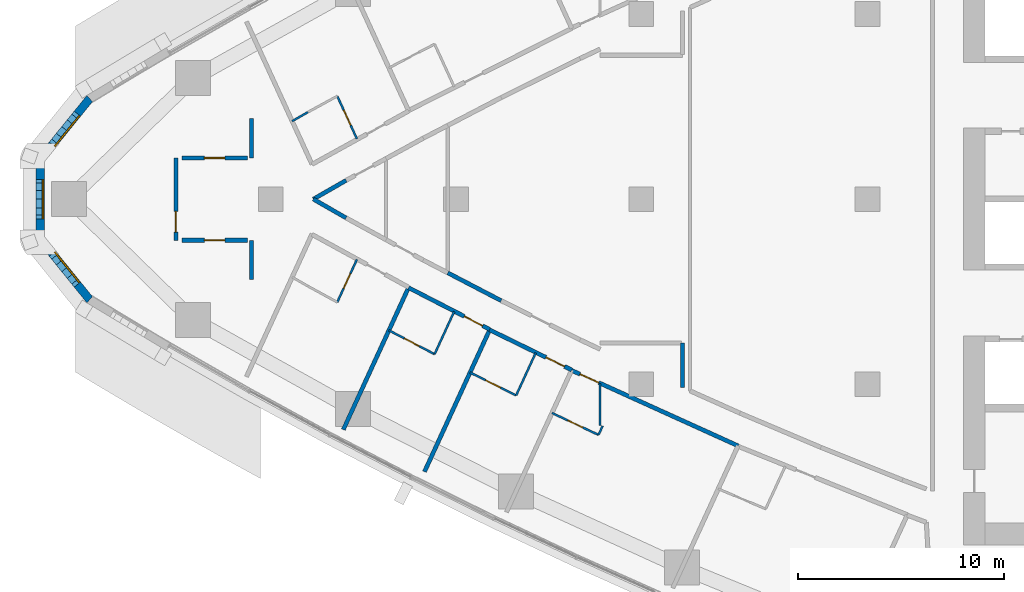
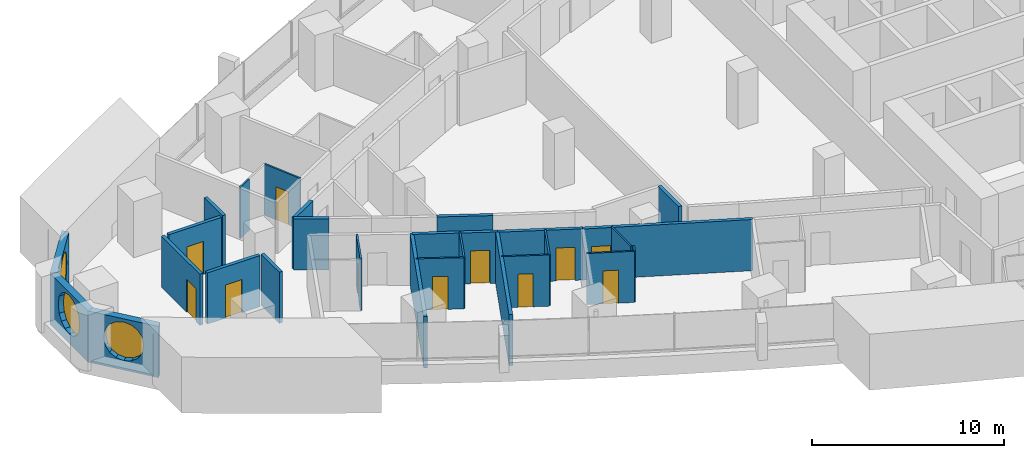
# One storey, part 8 of 17: 27 walls, 11 doors, 3 windows, 14 openings.
"""IFC4 building model written with IfcOpenShell, lengths in metres."""

from ifc_helpers import new_model, si_unit, direction, frame, frame_2d, origin, place, context, subcontext, project, spatial, polyline, rectangle, outline, extrude, material, layer, layer_set, type_object, element, fill, save


model = new_model("IFC4")

# Units and contexts
model_context = context("Model", 3, precision=1e-05, world=origin(), true_north=direction((0.0, 1.0)))
body_context = subcontext(model_context, "Body", "Model", "MODEL_VIEW")
ifc_project = project(units=[si_unit("LENGTHUNIT", "METRE"), si_unit("AREAUNIT", "SQUARE_METRE"), si_unit("VOLUMEUNIT", "CUBIC_METRE"), si_unit("PLANEANGLEUNIT", "RADIAN"), si_unit("MASSUNIT", "GRAM", prefix="KILO")], contexts=[model_context])

# Site, building, storey
site_placement = place(None, origin())
site = spatial("IfcSite", under=ifc_project, at=site_placement, CompositionType="ELEMENT")
building_placement = place(site_placement, origin())
building = spatial("IfcBuilding", under=site, at=building_placement, Name="Ostrand Prow Hotel Tower", CompositionType="ELEMENT")
storey_placement = place(building_placement, frame((0.0, 0.0, 95.550048828125)))
storey = spatial("IfcBuildingStorey", under=building, at=storey_placement, Name="L22", CompositionType="ELEMENT", Elevation=95.550048828125)

# Wall
ifc_material_1 = material(Name="Plasterboard partition")
ifc_layer_1 = layer(ifc_material_1, 0.10009765625)
ifc_layer_set_1 = layer_set([ifc_layer_1], Name="Plasterboard partition")
wall_type_1 = type_object("IfcWallType", Name="Partition 100 bathroom wall", PredefinedType="PARTITIONING", material=ifc_layer_set_1)
wall_1_placement = place(storey_placement, frame((17.0361328125, 3.7900390625, 0.0), z_axis=(0.0, 0.0, 1.0), x_axis=(0.867629162742, 0.497211862248, 0.0)))
element("IfcWall", 1, at=wall_1_placement, inside=storey, type_object=wall_type_1, Name="BATHROOM WALL", PredefinedType="PARTITIONING", context=body_context, shape_type="SweptSolid", body=[
    extrude(rectangle(XDim=0.8818359375, YDim=0.10009765625, at=frame_2d((0.44091796875, 0.0))), origin(), (0.0, 0.0, 1.0), 3.25),
])

# Wall, opening, door
wall_2_placement = place(storey_placement, frame((19.2275390625, 5.00830078125, 0.0), z_axis=(0.0, 0.0, 1.0), x_axis=(0.417450047292, -0.908699872354, 0.0)))
wall_2 = element("IfcWall", 2, at=wall_2_placement, inside=storey, type_object=wall_type_1, Name="BATHROOM WALL", PredefinedType="PARTITIONING", context=body_context, shape_type="SweptSolid", body=[
    extrude(rectangle(XDim=2.28271484375, YDim=0.10009765625, at=frame_2d((1.141357421875, 0.0))), origin(), (0.0, 0.0, 1.0), 3.25),
])
opening_1_placement = place(wall_2_placement, frame((0.75, 0.0, 0.0)))
opening_1 = element("IfcOpeningElement", 3, at=opening_1_placement, cuts=wall_2, Name="Opening D2", PredefinedType="OPENING", context=body_context, shape_type="SweptSolid", body=[
    extrude(rectangle(XDim=0.800048828125, YDim=2.10009765625, at=frame_2d((0.39990234375, 1.050048828125))), frame((0.0, 0.06005859375, 0.0), z_axis=(0.0, -1.0, 0.0), x_axis=(1.0, 0.0, 0.0)), (0.0, 0.0, 1.0), 0.1201171875),
])
ifc_material_2 = material(Name="Timber door leaf", Category="wood")
door_type_1 = type_object("IfcDoorType", Name="Bathroom door 800", OperationType="SINGLE_SWING_LEFT", PredefinedType="DOOR", material=ifc_material_2)
door_1_placement = place(opening_1_placement, origin())
door_1 = element("IfcDoor", 4, at=door_1_placement, inside=storey, type_object=door_type_1, Name="DOOR", OperationType="SINGLE_SWING_LEFT", OverallHeight=2.10009765625, OverallWidth=0.800048828125, PredefinedType="DOOR", context=body_context, shape_type="SweptSolid", body=[
    extrude(rectangle(XDim=0.800048828125, YDim=2.10009765625, at=frame_2d((0.39990234375, 1.050048828125))), frame((0.0, 0.02490234375, 0.0), z_axis=(0.0, -1.0, 0.0), x_axis=(1.0, 0.0, 0.0)), (0.0, 0.0, 1.0), 0.050048828125),
])
fill(opening_1, door_1)

wall_3_placement = place(storey_placement, frame((20.180419921875, -2.93408203125, 0.0), z_axis=(0.0, 0.0, 1.0), x_axis=(-0.417450047292, -0.908699872354, 0.0)))
wall_3 = element("IfcWall", 5, at=wall_3_placement, inside=storey, type_object=wall_type_1, Name="BATHROOM WALL", PredefinedType="PARTITIONING", context=body_context, shape_type="SweptSolid", body=[
    extrude(rectangle(XDim=2.28271484375, YDim=0.10009765625, at=frame_2d((1.141357421875, 0.0))), origin(), (0.0, 0.0, 1.0), 3.25),
])
opening_2_placement = place(wall_3_placement, frame((0.75, 0.0, 0.0)))
opening_2 = element("IfcOpeningElement", 6, at=opening_2_placement, cuts=wall_3, Name="Opening D2", PredefinedType="OPENING", context=body_context, shape_type="SweptSolid", body=[
    extrude(rectangle(XDim=0.800048828125, YDim=2.10009765625, at=frame_2d((0.39990234375, 1.050048828125))), frame((0.0, 0.06005859375, 0.0), z_axis=(0.0, -1.0, 0.0), x_axis=(1.0, 0.0, 0.0)), (0.0, 0.0, 1.0), 0.1201171875),
])
door_2_placement = place(opening_2_placement, origin())
door_2 = element("IfcDoor", 7, at=door_2_placement, inside=storey, type_object=door_type_1, Name="DOOR", OperationType="SINGLE_SWING_LEFT", OverallHeight=2.10009765625, OverallWidth=0.800048828125, PredefinedType="DOOR", context=body_context, shape_type="SweptSolid", body=[
    extrude(rectangle(XDim=0.800048828125, YDim=2.10009765625, at=frame_2d((0.39990234375, 1.050048828125))), frame((0.0, 0.02490234375, 0.0), z_axis=(0.0, -1.0, 0.0), x_axis=(1.0, 0.0, 0.0)), (0.0, 0.0, 1.0), 0.050048828125),
])
fill(opening_2, door_2)

# Wall
wall_4_placement = place(storey_placement, frame((24.9091796875, -5.4619140625, 0.0), z_axis=(0.0, 0.0, 1.0), x_axis=(-0.417454762401, -0.908697706253, 0.0)))
element("IfcWall", 8, at=wall_4_placement, inside=storey, type_object=wall_type_1, Name="BATHROOM WALL", PredefinedType="PARTITIONING", context=body_context, shape_type="SweptSolid", body=[
    extrude(rectangle(XDim=2.27978515625, YDim=0.10009765625, at=frame_2d((1.139892578125, 0.0))), origin(), (0.0, 0.0, 1.0), 3.25),
])

# Wall, opening, door
wall_5_placement = place(storey_placement, frame((23.95751953125, -7.533447265625, 0.0), z_axis=(0.0, 0.0, 1.0), x_axis=(-0.886911586599, 0.461939214135, 0.0)))
wall_5 = element("IfcWall", 9, at=wall_5_placement, inside=storey, type_object=wall_type_1, Name="BATHROOM WALL", PredefinedType="PARTITIONING", context=body_context, shape_type="SweptSolid", body=[
    extrude(rectangle(XDim=2.5029296875, YDim=0.10009765625, at=frame_2d((1.25146484375, 0.0))), origin(), (0.0, 0.0, 1.0), 3.25),
])
opening_3_placement = place(wall_5_placement, frame((0.85009765625, 0.0, 0.0)))
opening_3 = element("IfcOpeningElement", 10, at=opening_3_placement, cuts=wall_5, Name="Opening D2", PredefinedType="OPENING", context=body_context, shape_type="SweptSolid", body=[
    extrude(rectangle(XDim=0.800048828125, YDim=2.10009765625, at=frame_2d((0.39990234375, 1.050048828125))), frame((0.0, 0.06005859375, 0.0), z_axis=(0.0, -1.0, 0.0), x_axis=(1.0, 0.0, 0.0)), (0.0, 0.0, 1.0), 0.1201171875),
])
door_3_placement = place(opening_3_placement, origin())
door_3 = element("IfcDoor", 11, at=door_3_placement, inside=storey, type_object=door_type_1, Name="DOOR", OperationType="SINGLE_SWING_LEFT", OverallHeight=2.10009765625, OverallWidth=0.800048828125, PredefinedType="DOOR", context=body_context, shape_type="SweptSolid", body=[
    extrude(rectangle(XDim=0.800048828125, YDim=2.10009765625, at=frame_2d((0.39990234375, 1.050048828125))), frame((0.0, 0.02490234375, 0.0), z_axis=(0.0, -1.0, 0.0), x_axis=(1.0, 0.0, 0.0)), (0.0, 0.0, 1.0), 0.050048828125),
])
fill(opening_3, door_3)

# Wall
wall_6_placement = place(storey_placement, frame((28.87255859375, -7.466552734375, 0.0), z_axis=(0.0, 0.0, 1.0), x_axis=(-0.417433204355, -0.908707609686, 0.0)))
element("IfcWall", 12, at=wall_6_placement, inside=storey, type_object=wall_type_1, Name="BATHROOM WALL", PredefinedType="PARTITIONING", context=body_context, shape_type="SweptSolid", body=[
    extrude(rectangle(XDim=2.278076171875, YDim=0.10009765625, at=frame_2d((1.13916015625, 0.0))), origin(), (0.0, 0.0, 1.0), 3.25),
])

# Wall, opening, door
wall_7_placement = place(storey_placement, frame((27.921630859375, -9.53662109375, 0.0), z_axis=(0.0, 0.0, 1.0), x_axis=(-0.895944857815, 0.444165297784, 0.0)))
wall_7 = element("IfcWall", 13, at=wall_7_placement, inside=storey, type_object=wall_type_1, Name="BATHROOM WALL", PredefinedType="PARTITIONING", context=body_context, shape_type="SweptSolid", body=[
    extrude(rectangle(XDim=2.5009765625, YDim=0.10009765625, at=frame_2d((1.25048828125, 0.0))), origin(), (0.0, 0.0, 1.0), 3.25),
])
opening_4_placement = place(wall_7_placement, frame((0.85009765625, 0.0, 0.0)))
opening_4 = element("IfcOpeningElement", 14, at=opening_4_placement, cuts=wall_7, Name="Opening D2", PredefinedType="OPENING", context=body_context, shape_type="SweptSolid", body=[
    extrude(rectangle(XDim=0.800048828125, YDim=2.10009765625, at=frame_2d((0.39990234375, 1.050048828125))), frame((0.0, 0.06005859375, 0.0), z_axis=(0.0, -1.0, 0.0), x_axis=(1.0, 0.0, 0.0)), (0.0, 0.0, 1.0), 0.1201171875),
])
door_4_placement = place(opening_4_placement, origin())
door_4 = element("IfcDoor", 15, at=door_4_placement, inside=storey, type_object=door_type_1, Name="DOOR", OperationType="SINGLE_SWING_LEFT", OverallHeight=2.10009765625, OverallWidth=0.800048828125, PredefinedType="DOOR", context=body_context, shape_type="SweptSolid", body=[
    extrude(rectangle(XDim=0.800048828125, YDim=2.10009765625, at=frame_2d((0.39990234375, 1.050048828125))), frame((0.0, 0.02490234375, 0.0), z_axis=(0.0, -1.0, 0.0), x_axis=(1.0, 0.0, 0.0)), (0.0, 0.0, 1.0), 0.050048828125),
])
fill(opening_4, door_4)

# Wall
wall_8_placement = place(storey_placement, frame((32.123779296875, -11.022216796875, 0.0), z_axis=(0.0, 0.0, 1.0), x_axis=(-0.4176025781, -0.908629785316, 0.0)))
element("IfcWall", 16, at=wall_8_placement, inside=storey, type_object=wall_type_1, Name="BATHROOM WALL", PredefinedType="PARTITIONING", context=body_context, shape_type="SweptSolid", body=[
    extrude(rectangle(XDim=0.478759765625, YDim=0.10009765625, at=frame_2d((0.2392578125, 0.0))), origin(), (0.0, 0.0, 1.0), 3.25),
])

# Wall, opening, door
wall_9_placement = place(storey_placement, frame((31.923828125, -11.457275390625, 0.0), z_axis=(0.0, 0.0, 1.0), x_axis=(-0.904688082375, 0.426074493027, 0.0)))
wall_9 = element("IfcWall", 17, at=wall_9_placement, inside=storey, type_object=wall_type_1, Name="BATHROOM WALL", PredefinedType="PARTITIONING", context=body_context, shape_type="SweptSolid", body=[
    extrude(rectangle(XDim=2.5, YDim=0.10009765625, at=frame_2d((1.25, 0.0))), origin(), (0.0, 0.0, 1.0), 3.25),
])
opening_5_placement = place(wall_9_placement, frame((0.85009765625, 0.0, 0.0)))
opening_5 = element("IfcOpeningElement", 18, at=opening_5_placement, cuts=wall_9, Name="Opening D2", PredefinedType="OPENING", context=body_context, shape_type="SweptSolid", body=[
    extrude(rectangle(XDim=0.800048828125, YDim=2.10009765625, at=frame_2d((0.39990234375, 1.050048828125))), frame((0.0, 0.06005859375, 0.0), z_axis=(0.0, -1.0, 0.0), x_axis=(1.0, 0.0, 0.0)), (0.0, 0.0, 1.0), 0.1201171875),
])
door_5_placement = place(opening_5_placement, origin())
door_5 = element("IfcDoor", 19, at=door_5_placement, inside=storey, type_object=door_type_1, Name="DOOR", OperationType="SINGLE_SWING_LEFT", OverallHeight=2.10009765625, OverallWidth=0.800048828125, PredefinedType="DOOR", context=body_context, shape_type="SweptSolid", body=[
    extrude(rectangle(XDim=0.800048828125, YDim=2.10009765625, at=frame_2d((0.39990234375, 1.050048828125))), frame((0.0, 0.02490234375, 0.0), z_axis=(0.0, -1.0, 0.0), x_axis=(1.0, 0.0, 0.0)), (0.0, 0.0, 1.0), 0.050048828125),
])
fill(opening_5, door_5)

# Wall
wall_10_placement = place(storey_placement, frame((31.9951171875, -8.9541015625, 0.0), z_axis=(0.0, 0.0, 1.0), x_axis=(0.0, -1.0, 0.0)))
element("IfcWall", 20, at=wall_10_placement, inside=storey, type_object=wall_type_1, Name="BATHROOM WALL", PredefinedType="PARTITIONING", context=body_context, shape_type="SweptSolid", body=[
    extrude(rectangle(XDim=2.04638671875, YDim=0.10009765625, at=frame_2d((1.023193359375, 0.0))), origin(), (0.0, 0.0, 1.0), 3.25),
])

# Wall, opening, door
ifc_material_3 = material(Name="Plasterboard partition")
ifc_layer_2 = layer(ifc_material_3, 0.199951171875)
ifc_layer_set_2 = layer_set([ifc_layer_2], Name="Plasterboard partition")
wall_type_2 = type_object("IfcWallType", Name="Partition 200 corridor wall", PredefinedType="PARTITIONING", material=ifc_layer_set_2)
wall_11_placement = place(storey_placement, frame((11.685302734375, 2.0, 0.0), z_axis=(0.0, 0.0, 1.0), x_axis=(1.0, 0.0, 0.0)))
wall_11 = element("IfcWall", 21, at=wall_11_placement, inside=storey, type_object=wall_type_2, Name="CORRIDOR WALL", PredefinedType="PARTITIONING", context=body_context, shape_type="SweptSolid", body=[
    extrude(rectangle(XDim=3.16845703125, YDim=0.199951171875, at=frame_2d((1.584228515625, 0.0))), origin(), (0.0, 0.0, 1.0), 3.25),
])
opening_6_placement = place(wall_11_placement, frame((1.084228515625, 0.0, 0.0)))
opening_6 = element("IfcOpeningElement", 22, at=opening_6_placement, cuts=wall_11, Name="Opening D1", PredefinedType="OPENING", context=body_context, shape_type="SweptSolid", body=[
    extrude(rectangle(XDim=1.0, YDim=2.10009765625, at=frame_2d((0.5, 1.050048828125))), frame((0.0, 0.10986328125, 0.0), z_axis=(0.0, -1.0, 0.0), x_axis=(1.0, 0.0, 0.0)), (0.0, 0.0, 1.0), 0.219970703125),
])
ifc_material_4 = material(Name="Timber door leaf", Category="wood")
door_type_2 = type_object("IfcDoorType", Name="Guest room door 1000", OperationType="SINGLE_SWING_LEFT", PredefinedType="DOOR", material=ifc_material_4)
door_6_placement = place(opening_6_placement, origin())
door_6 = element("IfcDoor", 23, at=door_6_placement, inside=storey, type_object=door_type_2, Name="DOOR", OperationType="SINGLE_SWING_LEFT", OverallHeight=2.10009765625, OverallWidth=1.0, PredefinedType="DOOR", context=body_context, shape_type="SweptSolid", body=[
    extrude(rectangle(XDim=1.0, YDim=2.10009765625, at=frame_2d((0.5, 1.050048828125))), frame((0.0, 0.02490234375, 0.0), z_axis=(0.0, -1.0, 0.0), x_axis=(1.0, 0.0, 0.0)), (0.0, 0.0, 1.0), 0.050048828125),
])
fill(opening_6, door_6)

wall_12_placement = place(storey_placement, frame((11.685302734375, -2.0, 0.0), z_axis=(0.0, 0.0, 1.0), x_axis=(1.0, 0.0, 0.0)))
wall_12 = element("IfcWall", 24, at=wall_12_placement, inside=storey, type_object=wall_type_2, Name="CORRIDOR WALL", PredefinedType="PARTITIONING", context=body_context, shape_type="SweptSolid", body=[
    extrude(rectangle(XDim=3.16845703125, YDim=0.199951171875, at=frame_2d((1.584228515625, 0.0))), origin(), (0.0, 0.0, 1.0), 3.25),
])
opening_7_placement = place(wall_12_placement, frame((1.084228515625, 0.0, 0.0)))
opening_7 = element("IfcOpeningElement", 25, at=opening_7_placement, cuts=wall_12, Name="Opening D1R", PredefinedType="OPENING", context=body_context, shape_type="SweptSolid", body=[
    extrude(rectangle(XDim=1.0, YDim=2.10009765625, at=frame_2d((0.5, 1.050048828125))), frame((0.0, 0.10986328125, 0.0), z_axis=(0.0, -1.0, 0.0), x_axis=(1.0, 0.0, 0.0)), (0.0, 0.0, 1.0), 0.219970703125),
])
ifc_material_5 = material(Name="Timber door leaf", Category="wood")
door_type_3 = type_object("IfcDoorType", Name="Guest room door 1000 right", OperationType="SINGLE_SWING_RIGHT", PredefinedType="DOOR", material=ifc_material_5)
door_7_placement = place(opening_7_placement, origin())
door_7 = element("IfcDoor", 26, at=door_7_placement, inside=storey, type_object=door_type_3, Name="DOOR", OperationType="SINGLE_SWING_RIGHT", OverallHeight=2.10009765625, OverallWidth=1.0, PredefinedType="DOOR", context=body_context, shape_type="SweptSolid", body=[
    extrude(rectangle(XDim=1.0, YDim=2.10009765625, at=frame_2d((0.5, 1.050048828125))), frame((0.0, 0.02490234375, 0.0), z_axis=(0.0, -1.0, 0.0), x_axis=(1.0, 0.0, 0.0)), (0.0, 0.0, 1.0), 0.050048828125),
])
fill(opening_7, door_7)

wall_13_placement = place(storey_placement, frame((22.6904296875, -4.302490234375, 0.0), z_axis=(0.0, 0.0, 1.0), x_axis=(0.889236075961, -0.457448577667, 0.0)))
wall_13 = element("IfcWall", 27, at=wall_13_placement, inside=storey, type_object=wall_type_2, Name="CORRIDOR WALL", PredefinedType="PARTITIONING", context=body_context, shape_type="SweptSolid", body=[
    extrude(rectangle(XDim=4.443115234375, YDim=0.199951171875, at=frame_2d((2.2216796875, 0.0))), origin(), (0.0, 0.0, 1.0), 3.25),
])
opening_8_placement = place(wall_13_placement, frame((3.050048828125, 0.0, 0.0)))
opening_8 = element("IfcOpeningElement", 28, at=opening_8_placement, cuts=wall_13, Name="Opening D1R", PredefinedType="OPENING", context=body_context, shape_type="SweptSolid", body=[
    extrude(rectangle(XDim=1.0, YDim=2.10009765625, at=frame_2d((0.5, 1.050048828125))), frame((0.0, 0.10986328125, 0.0), z_axis=(0.0, -1.0, 0.0), x_axis=(1.0, 0.0, 0.0)), (0.0, 0.0, 1.0), 0.219970703125),
])
door_8_placement = place(opening_8_placement, origin())
door_8 = element("IfcDoor", 29, at=door_8_placement, inside=storey, type_object=door_type_3, Name="DOOR", OperationType="SINGLE_SWING_RIGHT", OverallHeight=2.10009765625, OverallWidth=1.0, PredefinedType="DOOR", context=body_context, shape_type="SweptSolid", body=[
    extrude(rectangle(XDim=1.0, YDim=2.10009765625, at=frame_2d((0.5, 1.050048828125))), frame((0.0, 0.02490234375, 0.0), z_axis=(0.0, -1.0, 0.0), x_axis=(1.0, 0.0, 0.0)), (0.0, 0.0, 1.0), 0.050048828125),
])
fill(opening_8, door_8)

wall_14_placement = place(storey_placement, frame((26.6328125, -6.35302734375, 0.0), z_axis=(0.0, 0.0, 1.0), x_axis=(0.898502457097, -0.438968489291, 0.0)))
wall_14 = element("IfcWall", 30, at=wall_14_placement, inside=storey, type_object=wall_type_2, Name="CORRIDOR WALL", PredefinedType="PARTITIONING", context=body_context, shape_type="SweptSolid", body=[
    extrude(rectangle(XDim=4.43994140625, YDim=0.199951171875, at=frame_2d((2.219970703125, 0.0))), origin(), (0.0, 0.0, 1.0), 3.25),
])
opening_9_placement = place(wall_14_placement, frame((3.050048828125, 0.0, 0.0)))
opening_9 = element("IfcOpeningElement", 31, at=opening_9_placement, cuts=wall_14, Name="Opening D1R", PredefinedType="OPENING", context=body_context, shape_type="SweptSolid", body=[
    extrude(rectangle(XDim=1.0, YDim=2.10009765625, at=frame_2d((0.5, 1.050048828125))), frame((0.0, 0.10986328125, 0.0), z_axis=(0.0, -1.0, 0.0), x_axis=(1.0, 0.0, 0.0)), (0.0, 0.0, 1.0), 0.219970703125),
])
door_9_placement = place(opening_9_placement, origin())
door_9 = element("IfcDoor", 32, at=door_9_placement, inside=storey, type_object=door_type_3, Name="DOOR", OperationType="SINGLE_SWING_RIGHT", OverallHeight=2.10009765625, OverallWidth=1.0, PredefinedType="DOOR", context=body_context, shape_type="SweptSolid", body=[
    extrude(rectangle(XDim=1.0, YDim=2.10009765625, at=frame_2d((0.5, 1.050048828125))), frame((0.0, 0.02490234375, 0.0), z_axis=(0.0, -1.0, 0.0), x_axis=(1.0, 0.0, 0.0)), (0.0, 0.0, 1.0), 0.050048828125),
])
fill(opening_9, door_9)

wall_15_placement = place(storey_placement, frame((30.61376953125, -8.320068359375, 0.0), z_axis=(0.0, 0.0, 1.0), x_axis=(0.910751030363, -0.41295588226, 0.0)))
wall_15 = element("IfcWall", 33, at=wall_15_placement, inside=storey, type_object=wall_type_2, Name="CORRIDOR WALL", PredefinedType="PARTITIONING", context=body_context, shape_type="SweptSolid", body=[
    extrude(rectangle(XDim=8.88330078125, YDim=0.199951171875, at=frame_2d((4.441650390625, 0.0))), origin(), (0.0, 0.0, 1.0), 3.25),
])
opening_10_placement = place(wall_15_placement, frame((0.449951171875, 0.0, 0.0)))
opening_10 = element("IfcOpeningElement", 34, at=opening_10_placement, cuts=wall_15, Name="Opening D1R", PredefinedType="OPENING", context=body_context, shape_type="SweptSolid", body=[
    extrude(rectangle(XDim=1.0, YDim=2.10009765625, at=frame_2d((0.5, 1.050048828125))), frame((0.0, 0.10986328125, 0.0), z_axis=(0.0, -1.0, 0.0), x_axis=(1.0, 0.0, 0.0)), (0.0, 0.0, 1.0), 0.219970703125),
])
door_10_placement = place(opening_10_placement, origin())
door_10 = element("IfcDoor", 35, at=door_10_placement, inside=storey, type_object=door_type_3, Name="DOOR", OperationType="SINGLE_SWING_RIGHT", OverallHeight=2.10009765625, OverallWidth=1.0, PredefinedType="DOOR", context=body_context, shape_type="SweptSolid", body=[
    extrude(rectangle(XDim=1.0, YDim=2.10009765625, at=frame_2d((0.5, 1.050048828125))), frame((0.0, 0.02490234375, 0.0), z_axis=(0.0, -1.0, 0.0), x_axis=(1.0, 0.0, 0.0)), (0.0, 0.0, 1.0), 0.050048828125),
])
fill(opening_10, door_10)

# Walls
for number, where, z_axis, x_axis, name in (
    (36, (19.6572265625, -0.912353515625, 0.0), (0.0, 0.0, 1.0), (-0.867694156962, 0.49709843087, 0.0), "CORRIDOR WALL"),
    (37, (18.064697265625, 0.0, 0.0), (0.0, 0.0, 1.0), (0.867694156962, 0.49709843087, 0.0), "CORRIDOR WALL"),
):
    element("IfcWall", number, at=place(storey_placement, frame(where, z_axis=z_axis, x_axis=x_axis)), inside=storey, type_object=wall_type_2, Name=name, PredefinedType="PARTITIONING", context=body_context, shape_type="SweptSolid", body=[
        extrude(rectangle(XDim=1.83544921875, YDim=0.199951171875, at=frame_2d((0.917724609375, 0.0))), origin(), (0.0, 0.0, 1.0), 3.25),
    ])
wall_16_placement = place(storey_placement, frame((27.1962890625, -4.935791015625, 0.0), z_axis=(0.0, 0.0, 1.0), x_axis=(-0.886905549588, 0.461950804859, 0.0)))
element("IfcWall", 38, at=wall_16_placement, inside=storey, type_object=wall_type_2, Name="CORRIDOR WALL", PredefinedType="PARTITIONING", context=body_context, shape_type="SweptSolid", body=[
    extrude(rectangle(XDim=2.929931640625, YDim=0.199951171875, at=frame_2d((1.46484375, 0.0))), origin(), (0.0, 0.0, 1.0), 3.25),
])
wall_17_placement = place(storey_placement, frame((36.0048828125, -9.146484375, 0.0), z_axis=(0.0, 0.0, 1.0), x_axis=(-0.001135073049, 0.999999355804, 0.0)))
element("IfcWall", 39, at=wall_17_placement, inside=storey, type_object=wall_type_2, Name="CORRIDOR WALL", PredefinedType="PARTITIONING", context=body_context, shape_type="SweptSolid", body=[
    extrude(rectangle(XDim=2.15087890625, YDim=0.199951171875, at=frame_2d((1.075439453125, 0.0))), origin(), (0.0, 0.0, 1.0), 3.25),
])
wall_18_placement = place(storey_placement, frame((15.0537109375, 3.90869140625, 0.0), z_axis=(0.0, 0.0, 1.0), x_axis=(0.0, -1.0, 0.0)))
element("IfcWall", 40, at=wall_18_placement, inside=storey, type_object=wall_type_2, Name="CORRIDOR WALL", PredefinedType="PARTITIONING", context=body_context, shape_type="SweptSolid", body=[
    extrude(rectangle(XDim=1.90380859375, YDim=0.199951171875, at=frame_2d((0.951904296875, 0.0))), origin(), (0.0, 0.0, 1.0), 3.25),
])
wall_19_placement = place(storey_placement, frame((15.0537109375, -2.0048828125, 0.0), z_axis=(0.0, 0.0, 1.0), x_axis=(0.0, -1.0, 0.0)))
element("IfcWall", 41, at=wall_19_placement, inside=storey, type_object=wall_type_2, Name="CORRIDOR WALL", PredefinedType="PARTITIONING", context=body_context, shape_type="SweptSolid", body=[
    extrude(rectangle(XDim=1.907958984375, YDim=0.199951171875, at=frame_2d((0.9541015625, 0.0))), origin(), (0.0, 0.0, 1.0), 3.25),
])
ifc_material_6 = material(Name="Plasterboard partition")
ifc_layer_3 = layer(ifc_material_6, 0.199951171875)
ifc_layer_set_3 = layer_set([ifc_layer_3], Name="Plasterboard partition")
wall_type_3 = type_object("IfcWallType", Name="Partition 200 key partition", PredefinedType="PARTITIONING", material=ifc_layer_set_3)
wall_20_placement = place(storey_placement, frame((19.5224609375, -11.19921875, 0.0), z_axis=(0.0, 0.0, 1.0), x_axis=(0.417413534969, 0.908716644959, 0.0)))
element("IfcWall", 42, at=wall_20_placement, inside=storey, type_object=wall_type_3, Name="KEY PARTITION", PredefinedType="PARTITIONING", context=body_context, shape_type="SweptSolid", body=[
    extrude(rectangle(XDim=7.609375, YDim=0.199951171875, at=frame_2d((3.8046875, 0.0))), origin(), (0.0, 0.0, 1.0), 3.25),
])
wall_21_placement = place(storey_placement, frame((23.46728515625, -13.244140625, 0.0), z_axis=(0.0, 0.0, 1.0), x_axis=(0.417455028008, 0.908697584233, 0.0)))
element("IfcWall", 43, at=wall_21_placement, inside=storey, type_object=wall_type_3, Name="KEY PARTITION", PredefinedType="PARTITIONING", context=body_context, shape_type="SweptSolid", body=[
    extrude(rectangle(XDim=7.603271484375, YDim=0.199951171875, at=frame_2d((3.8017578125, 0.0))), origin(), (0.0, 0.0, 1.0), 3.25),
])

# Wall, opening, door
ifc_material_7 = material(Name="Plasterboard partition")
ifc_layer_4 = layer(ifc_material_7, 0.199951171875)
ifc_layer_set_4 = layer_set([ifc_layer_4], Name="Plasterboard partition")
wall_type_4 = type_object("IfcWallType", Name="Partition 200 lounge wall", PredefinedType="PARTITIONING", material=ifc_layer_set_4)
wall_22_placement = place(storey_placement, frame((11.385498046875, -2.0, 0.0), z_axis=(0.0, 0.0, 1.0), x_axis=(0.0, 1.0, 0.0)))
wall_22 = element("IfcWall", 44, at=wall_22_placement, inside=storey, type_object=wall_type_4, Name="LOUNGE WALL", PredefinedType="PARTITIONING", context=body_context, shape_type="SweptSolid", body=[
    extrude(rectangle(XDim=4.0, YDim=0.199951171875, at=frame_2d((2.0, 0.0))), origin(), (0.0, 0.0, 1.0), 3.25),
])
opening_11_placement = place(wall_22_placement, frame((0.39990234375, 0.0, 0.0)))
opening_11 = element("IfcOpeningElement", 45, at=opening_11_placement, cuts=wall_22, Name="Opening D1", PredefinedType="OPENING", context=body_context, shape_type="SweptSolid", body=[
    extrude(rectangle(XDim=1.0, YDim=2.10009765625, at=frame_2d((0.5, 1.050048828125))), frame((0.0, 0.10986328125, 0.0), z_axis=(0.0, -1.0, 0.0), x_axis=(1.0, 0.0, 0.0)), (0.0, 0.0, 1.0), 0.219970703125),
])
door_11_placement = place(opening_11_placement, origin())
door_11 = element("IfcDoor", 46, at=door_11_placement, inside=storey, type_object=door_type_2, Name="DOOR", OperationType="SINGLE_SWING_LEFT", OverallHeight=2.10009765625, OverallWidth=1.0, PredefinedType="DOOR", context=body_context, shape_type="SweptSolid", body=[
    extrude(rectangle(XDim=1.0, YDim=2.10009765625, at=frame_2d((0.5, 1.050048828125))), frame((0.0, 0.02490234375, 0.0), z_axis=(0.0, -1.0, 0.0), x_axis=(1.0, 0.0, 0.0)), (0.0, 0.0, 1.0), 0.050048828125),
])
fill(opening_11, door_11)

# Wall, opening, window
ifc_material_8 = material(Name="Precast concrete C40/50", Category="concrete")
ifc_layer_5 = layer(ifc_material_8, 0.39990234375)
ifc_layer_set_5 = layer_set([ifc_layer_5], Name="Precast concrete C40/50")
wall_type_5 = type_object("IfcWallType", Name="Stone-faced precast wall 400 mm", PredefinedType="NOTDEFINED", material=ifc_layer_set_5)
wall_23_placement = place(storey_placement, frame((7.1943359375, 4.8876953125, 0.0), z_axis=(0.0, 0.0, 1.0), x_axis=(-0.62903486133, -0.777377092042, 0.0)))
wall_23 = element("IfcWall", 47, at=wall_23_placement, inside=storey, type_object=wall_type_5, Name="Stone-faced wall prow 2", PredefinedType="NOTDEFINED", context=body_context, shape_type="SweptSolid", body=[
    extrude(outline(polyline([(-0.035400390625, -0.199951171875), (3.897216796875, -0.199951171875), (3.755615234375, 0.199951171875), (0.035400390625, 0.199951171875), (-0.035400390625, -0.199951171875)])), origin(), (0.0, 0.0, 1.0), 3.25),
])
opening_12_placement = place(wall_23_placement, frame((0.813232421875, 0.0, 0.60009765625)))
opening_12 = element("IfcOpeningElement", 48, at=opening_12_placement, cuts=wall_23, Name="Opening WP1", PredefinedType="OPENING", context=body_context, shape_type="SweptSolid", body=[
    extrude(outline(polyline([(0.0, 1.35009765625), (0.083740234375, 1.77099609375), (0.322265625, 2.127685546875), (0.678955078125, 2.3662109375), (1.10009765625, 2.449951171875), (1.52099609375, 2.3662109375), (1.877685546875, 2.127685546875), (2.1162109375, 1.77099609375), (2.199951171875, 1.35009765625), (2.199951171875, 1.10009765625), (2.1162109375, 0.678955078125), (1.877685546875, 0.322265625), (1.52099609375, 0.083740234375), (1.10009765625, 0.0), (0.678955078125, 0.083740234375), (0.322265625, 0.322265625), (0.083740234375, 0.678955078125), (0.0, 1.099853515625), (0.0, 1.35009765625)])), frame((0.0, 0.2099609375, 0.0), z_axis=(0.0, -1.0, 0.0), x_axis=(1.0, 0.0, 0.0)), (0.0, 0.0, 1.0), 0.419921875),
])
ifc_material_9 = material(Name="Insulated glass in bronze frame", Category="glass")
window_type = type_object("IfcWindowType", Name="Round-ended prow window 2200x2450", PartitioningType="SINGLE_PANEL", PredefinedType="WINDOW", material=ifc_material_9)
window_1_placement = place(opening_12_placement, origin())
window_1 = element("IfcWindow", 49, at=window_1_placement, inside=storey, type_object=window_type, Name="Window prow 2.1", OverallHeight=2.449951171875, OverallWidth=2.199951171875, PartitioningType="SINGLE_PANEL", PredefinedType="WINDOW", context=body_context, shape_type="SweptSolid", body=[
    extrude(outline(polyline([(0.0, 1.35009765625), (0.083740234375, 1.77099609375), (0.322265625, 2.127685546875), (0.678955078125, 2.3662109375), (1.10009765625, 2.449951171875), (1.52099609375, 2.3662109375), (1.877685546875, 2.127685546875), (2.1162109375, 1.77099609375), (2.199951171875, 1.35009765625), (2.199951171875, 1.10009765625), (2.1162109375, 0.678955078125), (1.877685546875, 0.322265625), (1.52099609375, 0.083740234375), (1.10009765625, 0.0), (0.678955078125, 0.083740234375), (0.322265625, 0.322265625), (0.083740234375, 0.678955078125), (0.0, 1.099853515625), (0.0, 1.35009765625)])), frame((0.0, 0.169921875, 0.0), z_axis=(0.0, -1.0, 0.0), x_axis=(1.0, 0.0, 0.0)), (0.0, 0.0, 1.0), 0.06005859375),
])
fill(opening_12, window_1)

wall_24_placement = place(storey_placement, frame((4.787353515625, 1.9130859375, 0.0), z_axis=(0.0, 0.0, 1.0), x_axis=(0.0, -1.0, 0.0)))
wall_24 = element("IfcWall", 50, at=wall_24_placement, inside=storey, type_object=wall_type_5, Name="Stone-faced wall prow 3", PredefinedType="NOTDEFINED", context=body_context, shape_type="SweptSolid", body=[
    extrude(outline(polyline([(-0.07080078125, -0.199951171875), (3.89697265625, -0.199951171875), (3.75537109375, 0.199951171875), (0.07080078125, 0.199951171875), (-0.07080078125, -0.199951171875)])), origin(), (0.0, 0.0, 1.0), 3.25),
])
opening_13_placement = place(wall_24_placement, frame((0.813232421875, 0.0, 0.60009765625)))
opening_13 = element("IfcOpeningElement", 51, at=opening_13_placement, cuts=wall_24, Name="Opening WP1", PredefinedType="OPENING", context=body_context, shape_type="SweptSolid", body=[
    extrude(outline(polyline([(0.0, 1.35009765625), (0.083740234375, 1.77099609375), (0.322265625, 2.127685546875), (0.678955078125, 2.3662109375), (1.10009765625, 2.449951171875), (1.52099609375, 2.3662109375), (1.877685546875, 2.127685546875), (2.1162109375, 1.77099609375), (2.199951171875, 1.35009765625), (2.199951171875, 1.10009765625), (2.1162109375, 0.678955078125), (1.877685546875, 0.322265625), (1.52099609375, 0.083740234375), (1.10009765625, 0.0), (0.678955078125, 0.083740234375), (0.322265625, 0.322265625), (0.083740234375, 0.678955078125), (0.0, 1.099853515625), (0.0, 1.35009765625)])), frame((0.0, 0.2099609375, 0.0), z_axis=(0.0, -1.0, 0.0), x_axis=(1.0, 0.0, 0.0)), (0.0, 0.0, 1.0), 0.419921875),
])
window_2_placement = place(opening_13_placement, origin())
window_2 = element("IfcWindow", 52, at=window_2_placement, inside=storey, type_object=window_type, Name="Window prow 3.1", OverallHeight=2.449951171875, OverallWidth=2.199951171875, PartitioningType="SINGLE_PANEL", PredefinedType="WINDOW", context=body_context, shape_type="SweptSolid", body=[
    extrude(outline(polyline([(0.0, 1.35009765625), (0.083740234375, 1.77099609375), (0.322265625, 2.127685546875), (0.678955078125, 2.3662109375), (1.10009765625, 2.449951171875), (1.52099609375, 2.3662109375), (1.877685546875, 2.127685546875), (2.1162109375, 1.77099609375), (2.199951171875, 1.35009765625), (2.199951171875, 1.10009765625), (2.1162109375, 0.678955078125), (1.877685546875, 0.322265625), (1.52099609375, 0.083740234375), (1.10009765625, 0.0), (0.678955078125, 0.083740234375), (0.322265625, 0.322265625), (0.083740234375, 0.678955078125), (0.0, 1.099853515625), (0.0, 1.35009765625)])), frame((0.0, 0.169921875, 0.0), z_axis=(0.0, -1.0, 0.0), x_axis=(1.0, 0.0, 0.0)), (0.0, 0.0, 1.0), 0.06005859375),
])
fill(opening_13, window_2)

wall_25_placement = place(storey_placement, frame((4.787353515625, -1.9130859375, 0.0), z_axis=(0.0, 0.0, 1.0), x_axis=(0.62903486133, -0.777377092042, 0.0)))
wall_25 = element("IfcWall", 53, at=wall_25_placement, inside=storey, type_object=wall_type_5, Name="Stone-faced wall prow 4", PredefinedType="NOTDEFINED", context=body_context, shape_type="SweptSolid", body=[
    extrude(outline(polyline([(-0.07080078125, -0.199951171875), (3.86181640625, -0.199951171875), (3.791015625, 0.199951171875), (0.07080078125, 0.199951171875), (-0.07080078125, -0.199951171875)])), origin(), (0.0, 0.0, 1.0), 3.25),
])
opening_14_placement = place(wall_25_placement, frame((0.813232421875, 0.0, 0.60009765625)))
opening_14 = element("IfcOpeningElement", 54, at=opening_14_placement, cuts=wall_25, Name="Opening WP1", PredefinedType="OPENING", context=body_context, shape_type="SweptSolid", body=[
    extrude(outline(polyline([(0.0, 1.35009765625), (0.083740234375, 1.77099609375), (0.322265625, 2.127685546875), (0.678955078125, 2.3662109375), (1.10009765625, 2.449951171875), (1.52099609375, 2.3662109375), (1.877685546875, 2.127685546875), (2.1162109375, 1.77099609375), (2.199951171875, 1.35009765625), (2.199951171875, 1.10009765625), (2.1162109375, 0.678955078125), (1.877685546875, 0.322265625), (1.52099609375, 0.083740234375), (1.10009765625, 0.0), (0.678955078125, 0.083740234375), (0.322265625, 0.322265625), (0.083740234375, 0.678955078125), (0.0, 1.099853515625), (0.0, 1.35009765625)])), frame((0.0, 0.2099609375, 0.0), z_axis=(0.0, -1.0, 0.0), x_axis=(1.0, 0.0, 0.0)), (0.0, 0.0, 1.0), 0.419921875),
])
window_3_placement = place(opening_14_placement, origin())
window_3 = element("IfcWindow", 55, at=window_3_placement, inside=storey, type_object=window_type, Name="Window prow 4.1", OverallHeight=2.449951171875, OverallWidth=2.199951171875, PartitioningType="SINGLE_PANEL", PredefinedType="WINDOW", context=body_context, shape_type="SweptSolid", body=[
    extrude(outline(polyline([(0.0, 1.35009765625), (0.083740234375, 1.77099609375), (0.322265625, 2.127685546875), (0.678955078125, 2.3662109375), (1.10009765625, 2.449951171875), (1.52099609375, 2.3662109375), (1.877685546875, 2.127685546875), (2.1162109375, 1.77099609375), (2.199951171875, 1.35009765625), (2.199951171875, 1.10009765625), (2.1162109375, 0.678955078125), (1.877685546875, 0.322265625), (1.52099609375, 0.083740234375), (1.10009765625, 0.0), (0.678955078125, 0.083740234375), (0.322265625, 0.322265625), (0.083740234375, 0.678955078125), (0.0, 1.099853515625), (0.0, 1.35009765625)])), frame((0.0, 0.169921875, 0.0), z_axis=(0.0, -1.0, 0.0), x_axis=(1.0, 0.0, 0.0)), (0.0, 0.0, 1.0), 0.06005859375),
])
fill(opening_14, window_3)

save(model, "model.ifc")
